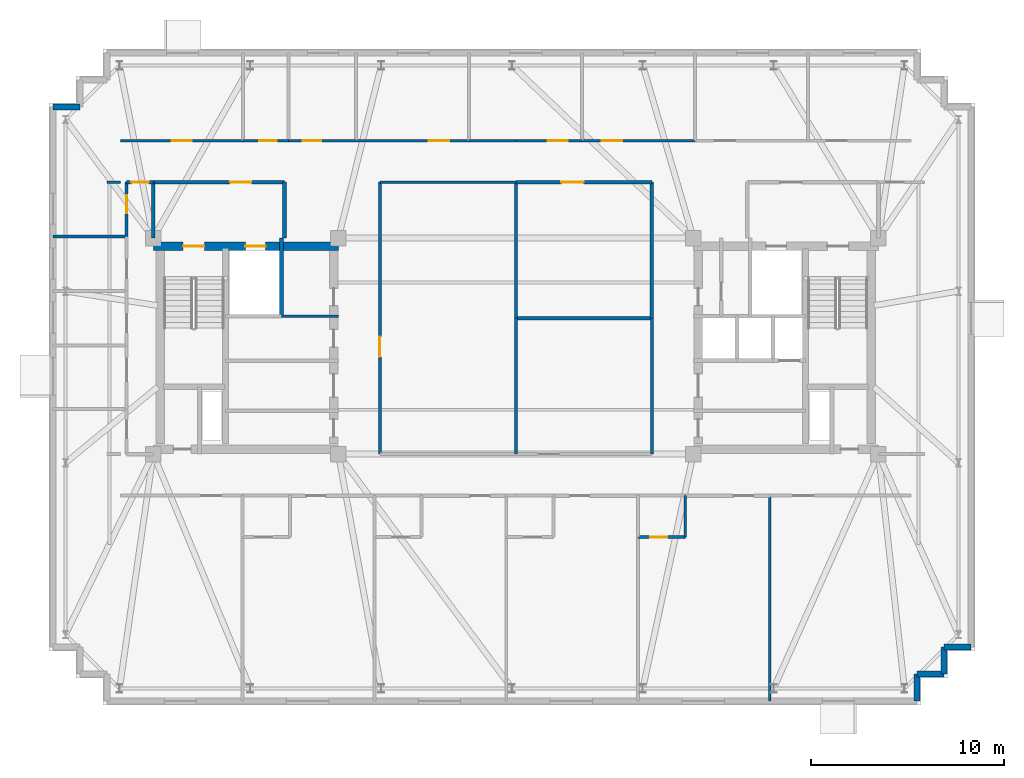
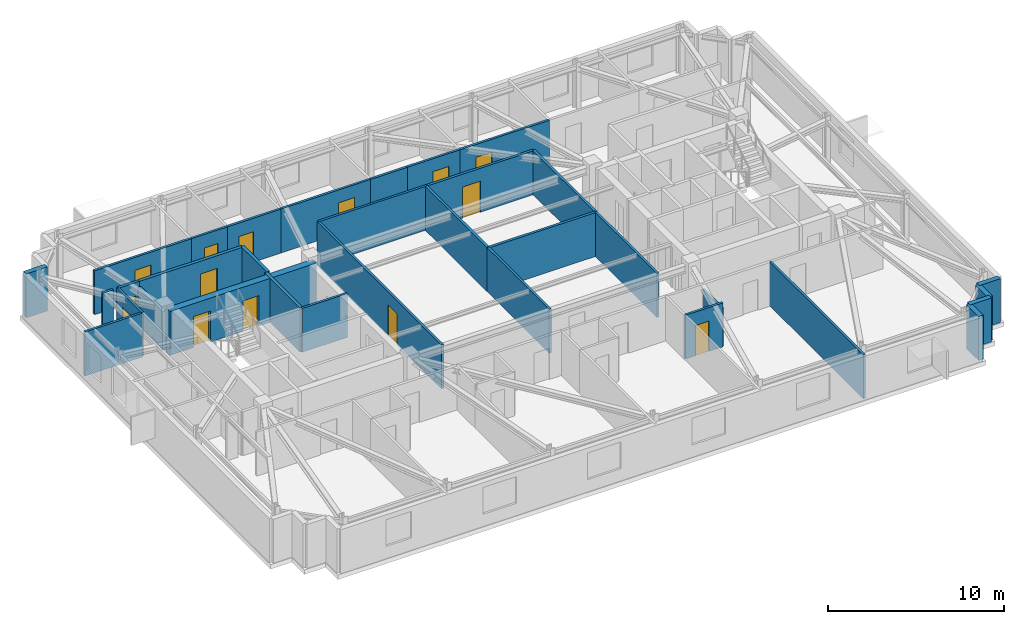
# One storey, part 7 of 11: 33 walls, 14 doors, 14 openings.
"""IFC4 building model written with IfcOpenShell, lengths in metres."""

from ifc_helpers import new_model, si_unit, direction, frame, frame_2d, origin, place, context, subcontext, project, spatial, rectangle, extrude, material, layer, layer_set, type_object, element, fill, save


model = new_model("IFC4")

# Units and contexts
model_context = context("Model", 3, precision=1e-05, world=origin(), true_north=direction((0.0, 1.0)))
body_context = subcontext(model_context, "Body", "Model", "MODEL_VIEW")
ifc_project = project(units=[si_unit("LENGTHUNIT", "METRE"), si_unit("AREAUNIT", "SQUARE_METRE"), si_unit("VOLUMEUNIT", "CUBIC_METRE"), si_unit("PLANEANGLEUNIT", "RADIAN"), si_unit("MASSUNIT", "GRAM", prefix="KILO")], contexts=[model_context])

# Site, building, storey
site_placement = place(None, origin())
site = spatial("IfcSite", under=ifc_project, at=site_placement, CompositionType="ELEMENT")
building_placement = place(site_placement, origin())
building = spatial("IfcBuilding", under=site, at=building_placement, Name="Qobustan Lattice House", CompositionType="ELEMENT")
storey_placement = place(building_placement, frame((0.0, 0.0, 245.050048828125)))
storey = spatial("IfcBuildingStorey", under=building, at=storey_placement, Name="L69", CompositionType="ELEMENT", Elevation=245.050048828125)

# Wall, openings, doors
ifc_material_1 = material(Name="Concrete C50/60", Category="concrete")
ifc_layer_1 = layer(ifc_material_1, 0.43994140625)
ifc_layer_set_1 = layer_set([ifc_layer_1], Name="Concrete C50/60")
wall_type_1 = type_object("IfcWallType", Name="WAL-CORE-440", PredefinedType="SHEAR", material=ifc_layer_set_1)
wall_1_placement = place(storey_placement, frame((-18.800048828125, 5.179931640625, 0.0), z_axis=(0.0, 0.0, 1.0), x_axis=(1.0, 0.0, 0.0)))
wall_1 = element("IfcWall", 1, at=wall_1_placement, inside=storey, type_object=wall_type_1, Name="L69 split-core shear wall CW-N", PredefinedType="SHEAR", context=body_context, shape_type="SweptSolid", body=[
    extrude(rectangle(XDim=9.60009765625, YDim=0.43994140625, at=frame_2d((4.800048828125, 0.0))), origin(), (0.0, 0.0, 1.0), 3.0400390625),
])
opening_1_placement = place(wall_1_placement, frame((1.550048828125, 0.0, 0.0)))
opening_1 = element("IfcOpeningElement", 2, at=opening_1_placement, cuts=wall_1, Name="Opening SD-01", PredefinedType="OPENING", context=body_context, shape_type="SweptSolid", body=[
    extrude(rectangle(XDim=1.10009765625, YDim=2.14990234375, at=frame_2d((0.550048828125, 1.074951171875))), frame((0.0, 0.22998046875, 0.0), z_axis=(0.0, -1.0, 0.0), x_axis=(1.0, 0.0, 0.0)), (0.0, 0.0, 1.0), 0.4599609375),
])
opening_2_placement = place(wall_1_placement, frame((4.77490234375, 0.0, 0.0)))
opening_2 = element("IfcOpeningElement", 3, at=opening_2_placement, cuts=wall_1, Name="Opening LD-01", PredefinedType="OPENING", context=body_context, shape_type="SweptSolid", body=[
    extrude(rectangle(XDim=1.050048828125, YDim=2.10009765625, at=frame_2d((0.52490234375, 1.050048828125))), frame((0.0, 0.22998046875, 0.0), z_axis=(0.0, -1.0, 0.0), x_axis=(1.0, 0.0, 0.0)), (0.0, 0.0, 1.0), 0.4599609375),
])
ifc_material_2 = material(Name="Persian walnut timber and steel frame door", Category="steel")
door_type_1 = type_object("IfcDoorType", Name="DOR-LIFT-LD-1050x2100", OperationType="NOTDEFINED", PredefinedType="DOOR", material=ifc_material_2)
door_1_placement = place(opening_2_placement, origin())
door_1 = element("IfcDoor", 4, at=door_1_placement, inside=storey, type_object=door_type_1, Name="L69 firefighting lift FF-W landing door", OperationType="DOUBLE_DOOR_SLIDING", OverallHeight=2.10009765625, OverallWidth=1.050048828125, PredefinedType="DOOR", context=body_context, shape_type="SweptSolid", body=[
    extrude(rectangle(XDim=1.050048828125, YDim=2.10009765625, at=frame_2d((0.52490234375, 1.050048828125))), frame((0.0, 0.02490234375, 0.0), z_axis=(0.0, -1.0, 0.0), x_axis=(1.0, 0.0, 0.0)), (0.0, 0.0, 1.0), 0.050048828125),
])
fill(opening_2, door_1)
ifc_material_3 = material(Name="Persian walnut timber and steel frame door", Category="steel")
door_type_2 = type_object("IfcDoorType", Name="DOR-STAIR-FD-1100x2150", OperationType="NOTDEFINED", PredefinedType="DOOR", material=ifc_material_3)
door_2_placement = place(opening_1_placement, origin())
door_2 = element("IfcDoor", 5, at=door_2_placement, inside=storey, type_object=door_type_2, Name="L69 exit stair ST-W1 fire door", OperationType="SINGLE_SWING_RIGHT", OverallHeight=2.14990234375, OverallWidth=1.10009765625, PredefinedType="DOOR", context=body_context, shape_type="SweptSolid", body=[
    extrude(rectangle(XDim=1.10009765625, YDim=2.14990234375, at=frame_2d((0.550048828125, 1.074951171875))), frame((0.0, 0.02490234375, 0.0), z_axis=(0.0, -1.0, 0.0), x_axis=(1.0, 0.0, 0.0)), (0.0, 0.0, 1.0), 0.050048828125),
])
fill(opening_1, door_2)

# Walls
ifc_material_4 = material(Name="Precast concrete C40/50", Category="concrete")
ifc_layer_2 = layer(ifc_material_4, 0.320068359375)
ifc_layer_set_2 = layer_set([ifc_layer_2], Name="Precast concrete C40/50")
wall_type_2 = type_object("IfcWallType", Name="WAL-EXT-STONE-320", PredefinedType="SOLIDWALL", material=ifc_layer_set_2)
wall_2_placement = place(storey_placement, frame((-24.0, 12.39990234375, 0.0), z_axis=(0.0, 0.0, 1.0), x_axis=(1.0, 0.0, 0.0)))
element("IfcWall", 6, at=wall_2_placement, inside=storey, type_object=wall_type_2, Name="L69 exterior limestone-clad wall 6", PredefinedType="SOLIDWALL", context=body_context, shape_type="SweptSolid", body=[
    extrude(rectangle(XDim=1.39990234375, YDim=0.320068359375, at=frame_2d((0.699951171875, 0.0))), origin(), (0.0, 0.0, 1.0), 3.0400390625),
])
wall_3_placement = place(storey_placement, frame((23.60009765625, -15.60009765625, 0.0), z_axis=(0.0, 0.0, 1.0), x_axis=(-1.0, 0.0, 0.0)))
element("IfcWall", 7, at=wall_3_placement, inside=storey, type_object=wall_type_2, Name="L69 exterior limestone-clad wall 16", PredefinedType="SOLIDWALL", context=body_context, shape_type="SweptSolid", body=[
    extrude(rectangle(XDim=1.400146484375, YDim=0.320068359375, at=frame_2d((0.7001953125, 0.0))), origin(), (0.0, 0.0, 1.0), 3.0400390625),
])
for number, where, z_axis, x_axis, name in (
    (8, (22.199951171875, -15.60009765625, 0.0), (0.0, 0.0, 1.0), (0.0, -1.0, 0.0), "L69 exterior limestone-clad wall 17"),
    (9, (22.199951171875, -17.0, 0.0), (0.0, 0.0, 1.0), (-1.0, 0.0, 0.0), "L69 exterior limestone-clad wall 18"),
    (10, (20.800048828125, -17.0, 0.0), (0.0, 0.0, 1.0), (0.0, -1.0, 0.0), "L69 exterior limestone-clad wall 19"),
):
    element("IfcWall", number, at=place(storey_placement, frame(where, z_axis=z_axis, x_axis=x_axis)), inside=storey, type_object=wall_type_2, Name=name, PredefinedType="SOLIDWALL", context=body_context, shape_type="SweptSolid", body=[
        extrude(rectangle(XDim=1.39990234375, YDim=0.320068359375, at=frame_2d((0.699951171875, 0.0))), origin(), (0.0, 0.0, 1.0), 3.0400390625),
    ])

# Wall, opening, door
ifc_material_5 = material(Name="Gypsum fireboard acoustic partition", Category="gypsum")
ifc_layer_3 = layer(ifc_material_5, 0.179931640625)
ifc_layer_set_3 = layer_set([ifc_layer_3], Name="Gypsum fireboard acoustic partition")
wall_type_3 = type_object("IfcWallType", Name="WAL-FIRE-180", PredefinedType="PARTITIONING", material=ifc_layer_set_3)
wall_4_placement = place(storey_placement, frame((-18.800048828125, 8.5, 0.0), z_axis=(0.0, 0.0, 1.0), x_axis=(-1.0, 0.0, 0.0)))
wall_4 = element("IfcWall", 11, at=wall_4_placement, inside=storey, type_object=wall_type_3, Name="L69 interior partition 28", PredefinedType="PARTITIONING", context=body_context, shape_type="SweptSolid", body=[
    extrude(rectangle(XDim=1.3798828125, YDim=0.179931640625, at=frame_2d((0.68994140625, 0.0))), origin(), (0.0, 0.0, 1.0), 3.0400390625),
])
opening_3_placement = place(wall_4_placement, frame((0.239990234375, 0.0, 0.0)))
opening_3 = element("IfcOpeningElement", 12, at=opening_3_placement, cuts=wall_4, Name="Opening RD-01", PredefinedType="OPENING", context=body_context, shape_type="SweptSolid", body=[
    extrude(rectangle(XDim=0.89990234375, YDim=2.10009765625, at=frame_2d((0.449951171875, 1.050048828125))), frame((0.0, 0.099853515625, 0.0), z_axis=(0.0, -1.0, 0.0), x_axis=(1.0, 0.0, 0.0)), (0.0, 0.0, 1.0), 0.199951171875),
])
ifc_material_6 = material(Name="Persian walnut timber and steel frame door", Category="steel")
door_type_3 = type_object("IfcDoorType", Name="DOR-RISER-FD-900x2100", OperationType="NOTDEFINED", PredefinedType="DOOR", material=ifc_material_6)
door_3_placement = place(opening_3_placement, origin())
door_3 = element("IfcDoor", 13, at=door_3_placement, inside=storey, type_object=door_type_3, Name="L69 North-west floor corridor to Residence entrance hall L69W door", OperationType="SINGLE_SWING_RIGHT", OverallHeight=2.10009765625, OverallWidth=0.89990234375, PredefinedType="DOOR", context=body_context, shape_type="SweptSolid", body=[
    extrude(rectangle(XDim=0.89990234375, YDim=2.10009765625, at=frame_2d((0.449951171875, 1.050048828125))), frame((0.0, 0.02490234375, 0.0), z_axis=(0.0, -1.0, 0.0), x_axis=(1.0, 0.0, 0.0)), (0.0, 0.0, 1.0), 0.050048828125),
])
fill(opening_3, door_3)

# Walls
ifc_material_7 = material(Name="Acoustic twin-stud gypsum partition", Category="gypsum")
ifc_layer_4 = layer(ifc_material_7, 0.14990234375)
ifc_layer_set_4 = layer_set([ifc_layer_4], Name="Acoustic twin-stud gypsum partition")
wall_type_4 = type_object("IfcWallType", Name="WAL-PART-150", PredefinedType="PARTITIONING", material=ifc_layer_set_4)
wall_5_placement = place(storey_placement, frame((-12.14990234375, 1.550048828125, 0.0), z_axis=(0.0, 0.0, 1.0), x_axis=(1.0, 0.0, 0.0)))
element("IfcWall", 14, at=wall_5_placement, inside=storey, type_object=wall_type_4, Name="L69 interior partition 6", PredefinedType="PARTITIONING", context=body_context, shape_type="SweptSolid", body=[
    extrude(rectangle(XDim=2.949951171875, YDim=0.14990234375, at=frame_2d((1.47509765625, 0.0))), origin(), (0.0, 0.0, 1.0), 3.0400390625),
])
wall_6_placement = place(storey_placement, frame((-20.5, 8.5, 0.0), z_axis=(0.0, 0.0, 1.0), x_axis=(-1.0, 0.0, 0.0)))
element("IfcWall", 15, at=wall_6_placement, inside=storey, type_object=wall_type_4, Name="L69 interior partition 29", PredefinedType="PARTITIONING", context=body_context, shape_type="SweptSolid", body=[
    extrude(rectangle(XDim=0.699951171875, YDim=0.14990234375, at=frame_2d((0.35009765625, 0.0))), origin(), (0.0, 0.0, 1.0), 3.0400390625),
])

# Wall, opening, door
wall_7_placement = place(storey_placement, frame((-20.5, 10.64990234375, 0.0), z_axis=(0.0, 0.0, 1.0), x_axis=(1.0, 0.0, 0.0)))
wall_7 = element("IfcWall", 16, at=wall_7_placement, inside=storey, type_object=wall_type_4, Name="L69 interior partition 30", PredefinedType="PARTITIONING", context=body_context, shape_type="SweptSolid", body=[
    extrude(rectangle(XDim=6.35693359375, YDim=0.14990234375, at=frame_2d((3.178466796875, 0.0))), origin(), (0.0, 0.0, 1.0), 3.0400390625),
])
opening_4_placement = place(wall_7_placement, frame((2.653564453125, 0.0, 0.0)))
opening_4 = element("IfcOpeningElement", 17, at=opening_4_placement, cuts=wall_7, Name="Opening ID-02", PredefinedType="OPENING", context=body_context, shape_type="SweptSolid", body=[
    extrude(rectangle(XDim=1.050048828125, YDim=2.14990234375, at=frame_2d((0.52490234375, 1.074951171875))), frame((0.0, 0.0849609375, 0.0), z_axis=(0.0, -1.0, 0.0), x_axis=(1.0, 0.0, 0.0)), (0.0, 0.0, 1.0), 0.169921875),
])
ifc_material_8 = material(Name="Persian walnut timber and steel frame door", Category="steel")
door_type_4 = type_object("IfcDoorType", Name="DOR-STUDY-1050x2150", OperationType="NOTDEFINED", PredefinedType="DOOR", material=ifc_material_8)
door_4_placement = place(opening_4_placement, origin())
door_4 = element("IfcDoor", 18, at=door_4_placement, inside=storey, type_object=door_type_4, Name="L69 North-west floor corridor to Focus study room N1 door", OperationType="SINGLE_SWING_LEFT", OverallHeight=2.14990234375, OverallWidth=1.050048828125, PredefinedType="DOOR", context=body_context, shape_type="SweptSolid", body=[
    extrude(rectangle(XDim=1.050048828125, YDim=2.14990234375, at=frame_2d((0.52490234375, 1.074951171875))), frame((0.0, 0.02490234375, 0.0), z_axis=(0.0, -1.0, 0.0), x_axis=(1.0, 0.0, 0.0)), (0.0, 0.0, 1.0), 0.050048828125),
])
fill(opening_4, door_4)

wall_8_placement = place(storey_placement, frame((-11.79296875, 10.64990234375, 0.0), z_axis=(0.0, 0.0, 1.0), x_axis=(1.0, 0.0, 0.0)))
wall_8 = element("IfcWall", 19, at=wall_8_placement, inside=storey, type_object=wall_type_4, Name="L69 interior partition 32", PredefinedType="PARTITIONING", context=body_context, shape_type="SweptSolid", body=[
    extrude(rectangle(XDim=3.507080078125, YDim=0.14990234375, at=frame_2d((1.75341796875, 0.0))), origin(), (0.0, 0.0, 1.0), 3.0400390625),
])
opening_5_placement = place(wall_8_placement, frame((0.754638671875, 0.0, 0.0)))
opening_5 = element("IfcOpeningElement", 20, at=opening_5_placement, cuts=wall_8, Name="Opening ID-01", PredefinedType="OPENING", context=body_context, shape_type="SweptSolid", body=[
    extrude(rectangle(XDim=0.949951171875, YDim=2.10009765625, at=frame_2d((0.47509765625, 1.050048828125))), frame((0.0, 0.0849609375, 0.0), z_axis=(0.0, -1.0, 0.0), x_axis=(1.0, 0.0, 0.0)), (0.0, 0.0, 1.0), 0.169921875),
])
ifc_material_9 = material(Name="Persian walnut timber and steel frame door", Category="steel")
door_type_5 = type_object("IfcDoorType", Name="DOR-ROOM-950x2100", OperationType="NOTDEFINED", PredefinedType="DOOR", material=ifc_material_9)
door_5_placement = place(opening_5_placement, origin())
door_5 = element("IfcDoor", 21, at=door_5_placement, inside=storey, type_object=door_type_5, Name="L69 North-west floor corridor to Laundry utility room door", OperationType="SINGLE_SWING_LEFT", OverallHeight=2.10009765625, OverallWidth=0.949951171875, PredefinedType="DOOR", context=body_context, shape_type="SweptSolid", body=[
    extrude(rectangle(XDim=0.949951171875, YDim=2.10009765625, at=frame_2d((0.47509765625, 1.050048828125))), frame((0.0, 0.02490234375, 0.0), z_axis=(0.0, -1.0, 0.0), x_axis=(1.0, 0.0, 0.0)), (0.0, 0.0, 1.0), 0.050048828125),
])
fill(opening_5, door_5)

wall_9_placement = place(storey_placement, frame((-8.285888671875, 10.64990234375, 0.0), z_axis=(0.0, 0.0, 1.0), x_axis=(1.0, 0.0, 0.0)))
wall_9 = element("IfcWall", 22, at=wall_9_placement, inside=storey, type_object=wall_type_4, Name="L69 interior partition 33", PredefinedType="PARTITIONING", context=body_context, shape_type="SweptSolid", body=[
    extrude(rectangle(XDim=5.85693359375, YDim=0.14990234375, at=frame_2d((2.928466796875, 0.0))), origin(), (0.0, 0.0, 1.0), 3.0400390625),
])
opening_6_placement = place(wall_9_placement, frame((3.77099609375, 0.0, 0.0)))
opening_6 = element("IfcOpeningElement", 23, at=opening_6_placement, cuts=wall_9, Name="Opening ID-02", PredefinedType="OPENING", context=body_context, shape_type="SweptSolid", body=[
    extrude(rectangle(XDim=1.050048828125, YDim=2.14990234375, at=frame_2d((0.52490234375, 1.074951171875))), frame((0.0, 0.0849609375, 0.0), z_axis=(0.0, -1.0, 0.0), x_axis=(1.0, 0.0, 0.0)), (0.0, 0.0, 1.0), 0.169921875),
])
door_6_placement = place(opening_6_placement, origin())
door_6 = element("IfcDoor", 24, at=door_6_placement, inside=storey, type_object=door_type_4, Name="L69 North-west floor corridor to Focus study room N3 door", OperationType="SINGLE_SWING_RIGHT", OverallHeight=2.14990234375, OverallWidth=1.050048828125, PredefinedType="DOOR", context=body_context, shape_type="SweptSolid", body=[
    extrude(rectangle(XDim=1.050048828125, YDim=2.14990234375, at=frame_2d((0.52490234375, 1.074951171875))), frame((0.0, 0.02490234375, 0.0), z_axis=(0.0, -1.0, 0.0), x_axis=(1.0, 0.0, 0.0)), (0.0, 0.0, 1.0), 0.050048828125),
])
fill(opening_6, door_6)

# Walls
wall_10_placement = place(storey_placement, frame((-2.428955078125, 10.64990234375, 0.0), z_axis=(0.0, 0.0, 1.0), x_axis=(1.0, 0.0, 0.0)))
element("IfcWall", 25, at=wall_10_placement, inside=storey, type_object=wall_type_4, Name="L69 interior partition 34", PredefinedType="PARTITIONING", context=body_context, shape_type="SweptSolid", body=[
    extrude(rectangle(XDim=2.428955078125, YDim=0.14990234375, at=frame_2d((1.21435546875, 0.0))), origin(), (0.0, 0.0, 1.0), 3.0400390625),
])
wall_11_placement = place(storey_placement, frame((0.0, 8.5, 0.0), z_axis=(0.0, 0.0, 1.0), x_axis=(-1.0, 0.0, 0.0)))
element("IfcWall", 26, at=wall_11_placement, inside=storey, type_object=wall_type_4, Name="L69 interior partition 35", PredefinedType="PARTITIONING", context=body_context, shape_type="SweptSolid", body=[
    extrude(rectangle(XDim=7.050048828125, YDim=0.14990234375, at=frame_2d((3.52490234375, 0.0))), origin(), (0.0, 0.0, 1.0), 3.0400390625),
])

# Wall, opening, door
wall_12_placement = place(storey_placement, frame((0.0, 10.64990234375, 0.0), z_axis=(0.0, 0.0, 1.0), x_axis=(1.0, 0.0, 0.0)))
wall_12 = element("IfcWall", 27, at=wall_12_placement, inside=storey, type_object=wall_type_4, Name="L69 interior partition 38", PredefinedType="PARTITIONING", context=body_context, shape_type="SweptSolid", body=[
    extrude(rectangle(XDim=3.428955078125, YDim=0.14990234375, at=frame_2d((1.71435546875, 0.0))), origin(), (0.0, 0.0, 1.0), 3.0400390625),
])
opening_7_placement = place(wall_12_placement, frame((1.646484375, 0.0, 0.0)))
opening_7 = element("IfcOpeningElement", 28, at=opening_7_placement, cuts=wall_12, Name="Opening ID-02", PredefinedType="OPENING", context=body_context, shape_type="SweptSolid", body=[
    extrude(rectangle(XDim=1.050048828125, YDim=2.14990234375, at=frame_2d((0.52490234375, 1.074951171875))), frame((0.0, 0.0849609375, 0.0), z_axis=(0.0, -1.0, 0.0), x_axis=(1.0, 0.0, 0.0)), (0.0, 0.0, 1.0), 0.169921875),
])
door_7_placement = place(opening_7_placement, origin())
door_7 = element("IfcDoor", 29, at=door_7_placement, inside=storey, type_object=door_type_4, Name="L69 North-east floor corridor to Focus study room N4 door", OperationType="SINGLE_SWING_RIGHT", OverallHeight=2.14990234375, OverallWidth=1.050048828125, PredefinedType="DOOR", context=body_context, shape_type="SweptSolid", body=[
    extrude(rectangle(XDim=1.050048828125, YDim=2.14990234375, at=frame_2d((0.52490234375, 1.074951171875))), frame((0.0, 0.02490234375, 0.0), z_axis=(0.0, -1.0, 0.0), x_axis=(1.0, 0.0, 0.0)), (0.0, 0.0, 1.0), 0.050048828125),
])
fill(opening_7, door_7)

wall_13_placement = place(storey_placement, frame((3.428955078125, 10.64990234375, 0.0), z_axis=(0.0, 0.0, 1.0), x_axis=(1.0, 0.0, 0.0)))
wall_13 = element("IfcWall", 30, at=wall_13_placement, inside=storey, type_object=wall_type_4, Name="L69 interior partition 39", PredefinedType="PARTITIONING", context=body_context, shape_type="SweptSolid", body=[
    extrude(rectangle(XDim=5.85693359375, YDim=0.14990234375, at=frame_2d((2.928466796875, 0.0))), origin(), (0.0, 0.0, 1.0), 3.0400390625),
])
opening_8_placement = place(wall_13_placement, frame((1.035888671875, 0.0, 0.0)))
opening_8 = element("IfcOpeningElement", 31, at=opening_8_placement, cuts=wall_13, Name="Opening ID-02", PredefinedType="OPENING", context=body_context, shape_type="SweptSolid", body=[
    extrude(rectangle(XDim=1.050048828125, YDim=2.14990234375, at=frame_2d((0.52490234375, 1.074951171875))), frame((0.0, 0.0849609375, 0.0), z_axis=(0.0, -1.0, 0.0), x_axis=(1.0, 0.0, 0.0)), (0.0, 0.0, 1.0), 0.169921875),
])
door_8_placement = place(opening_8_placement, origin())
door_8 = element("IfcDoor", 32, at=door_8_placement, inside=storey, type_object=door_type_4, Name="L69 North-east floor corridor to Focus study room N5 door", OperationType="SINGLE_SWING_LEFT", OverallHeight=2.14990234375, OverallWidth=1.050048828125, PredefinedType="DOOR", context=body_context, shape_type="SweptSolid", body=[
    extrude(rectangle(XDim=1.050048828125, YDim=2.14990234375, at=frame_2d((0.52490234375, 1.074951171875))), frame((0.0, 0.02490234375, 0.0), z_axis=(0.0, -1.0, 0.0), x_axis=(1.0, 0.0, 0.0)), (0.0, 0.0, 1.0), 0.050048828125),
])
fill(opening_8, door_8)

wall_14_placement = place(storey_placement, frame((-7.050048828125, 8.5, 0.0), z_axis=(0.0, 0.0, 1.0), x_axis=(0.0, -1.0, 0.0)))
wall_14 = element("IfcWall", 33, at=wall_14_placement, inside=storey, type_object=wall_type_4, Name="L69 interior partition 60", PredefinedType="PARTITIONING", context=body_context, shape_type="SweptSolid", body=[
    extrude(rectangle(XDim=14.10009765625, YDim=0.14990234375, at=frame_2d((7.050048828125, 0.0))), origin(), (0.0, 0.0, 1.0), 3.0400390625),
])
opening_9_placement = place(wall_14_placement, frame((8.01123046875, 0.0, 0.0)))
opening_9 = element("IfcOpeningElement", 34, at=opening_9_placement, cuts=wall_14, Name="Opening ID-02", PredefinedType="OPENING", context=body_context, shape_type="SweptSolid", body=[
    extrude(rectangle(XDim=1.050048828125, YDim=2.14990234375, at=frame_2d((0.52490234375, 1.074951171875))), frame((0.0, 0.0849609375, 0.0), z_axis=(0.0, -1.0, 0.0), x_axis=(1.0, 0.0, 0.0)), (0.0, 0.0, 1.0), 0.169921875),
])
door_9_placement = place(opening_9_placement, origin())
door_9 = element("IfcDoor", 35, at=door_9_placement, inside=storey, type_object=door_type_4, Name="L69 West floor link corridor to Central silent study room door", OperationType="SINGLE_SWING_RIGHT", OverallHeight=2.14990234375, OverallWidth=1.050048828125, PredefinedType="DOOR", context=body_context, shape_type="SweptSolid", body=[
    extrude(rectangle(XDim=1.050048828125, YDim=2.14990234375, at=frame_2d((0.52490234375, 1.074951171875))), frame((0.0, 0.02490234375, 0.0), z_axis=(0.0, -1.0, 0.0), x_axis=(1.0, 0.0, 0.0)), (0.0, 0.0, 1.0), 0.050048828125),
])
fill(opening_9, door_9)

# Wall
wall_15_placement = place(storey_placement, frame((7.050048828125, -5.60009765625, 0.0), z_axis=(0.0, 0.0, 1.0), x_axis=(0.0, 1.0, 0.0)))
element("IfcWall", 36, at=wall_15_placement, inside=storey, type_object=wall_type_4, Name="L69 interior partition 61", PredefinedType="PARTITIONING", context=body_context, shape_type="SweptSolid", body=[
    extrude(rectangle(XDim=7.050048828125, YDim=0.14990234375, at=frame_2d((3.52490234375, 0.0))), origin(), (0.0, 0.0, 1.0), 3.0400390625),
])

# Wall, opening, door
wall_16_placement = place(storey_placement, frame((-20.179931640625, 5.679931640625, 0.0), z_axis=(0.0, 0.0, 1.0), x_axis=(0.0, 1.0, 0.0)))
wall_16 = element("IfcWall", 37, at=wall_16_placement, inside=storey, type_object=wall_type_4, Name="L69 interior partition 67", PredefinedType="PARTITIONING", context=body_context, shape_type="SweptSolid", body=[
    extrude(rectangle(XDim=2.820068359375, YDim=0.14990234375, at=frame_2d((1.41015625, 0.0))), origin(), (0.0, 0.0, 1.0), 3.0400390625),
])
opening_10_placement = place(wall_16_placement, frame((1.201171875, 0.0, 0.0)))
opening_10 = element("IfcOpeningElement", 38, at=opening_10_placement, cuts=wall_16, Name="Opening ID-01", PredefinedType="OPENING", context=body_context, shape_type="SweptSolid", body=[
    extrude(rectangle(XDim=0.949951171875, YDim=2.10009765625, at=frame_2d((0.47509765625, 1.050048828125))), frame((0.0, 0.0849609375, 0.0), z_axis=(0.0, -1.0, 0.0), x_axis=(1.0, 0.0, 0.0)), (0.0, 0.0, 1.0), 0.169921875),
])
door_10_placement = place(opening_10_placement, origin())
door_10 = element("IfcDoor", 39, at=door_10_placement, inside=storey, type_object=door_type_5, Name="L69 Residence entrance hall L69W to Cluster bedroom L69W3 door", OperationType="SINGLE_SWING_LEFT", OverallHeight=2.10009765625, OverallWidth=0.949951171875, PredefinedType="DOOR", context=body_context, shape_type="SweptSolid", body=[
    extrude(rectangle(XDim=0.949951171875, YDim=2.10009765625, at=frame_2d((0.47509765625, 1.050048828125))), frame((0.0, 0.02490234375, 0.0), z_axis=(0.0, -1.0, 0.0), x_axis=(1.0, 0.0, 0.0)), (0.0, 0.0, 1.0), 0.050048828125),
])
fill(opening_10, door_10)

# Walls
wall_17_placement = place(storey_placement, frame((-24.0, 5.679931640625, 0.0), z_axis=(0.0, 0.0, 1.0), x_axis=(1.0, 0.0, 0.0)))
element("IfcWall", 40, at=wall_17_placement, inside=storey, type_object=wall_type_4, Name="L69 interior partition 71", PredefinedType="PARTITIONING", context=body_context, shape_type="SweptSolid", body=[
    extrude(rectangle(XDim=3.820068359375, YDim=0.14990234375, at=frame_2d((1.91015625, 0.0))), origin(), (0.0, 0.0, 1.0), 3.0400390625),
])
wall_18_placement = place(storey_placement, frame((13.1669921875, -7.75, 0.0), z_axis=(0.0, 0.0, 1.0), x_axis=(0.0, -1.0, 0.0)))
element("IfcWall", 41, at=wall_18_placement, inside=storey, type_object=wall_type_4, Name="L69 interior partition 95", PredefinedType="PARTITIONING", context=body_context, shape_type="SweptSolid", body=[
    extrude(rectangle(XDim=10.64990234375, YDim=0.14990234375, at=frame_2d((5.324951171875, 0.0))), origin(), (0.0, 0.0, 1.0), 3.0400390625),
])
wall_19_placement = place(storey_placement, frame((0.0, 1.449951171875, 0.0), z_axis=(0.0, 0.0, 1.0), x_axis=(0.0, -1.0, 0.0)))
element("IfcWall", 42, at=wall_19_placement, inside=storey, type_object=wall_type_4, Name="L69 interior partition 96", PredefinedType="PARTITIONING", context=body_context, shape_type="SweptSolid", body=[
    extrude(rectangle(XDim=7.050048828125, YDim=0.14990234375, at=frame_2d((3.52490234375, 0.0))), origin(), (0.0, 0.0, 1.0), 3.0400390625),
])

# Wall, opening, door
ifc_material_10 = material(Name="High-mass acoustic twin-stud partition", Category="gypsum")
ifc_layer_5 = layer(ifc_material_10, 0.1650390625)
ifc_layer_set_5 = layer_set([ifc_layer_5], Name="High-mass acoustic twin-stud partition")
wall_type_5 = type_object("IfcWallType", Name="WAL-PART-165", PredefinedType="PARTITIONING", material=ifc_layer_set_5)
wall_20_placement = place(storey_placement, frame((7.050048828125, 8.5, 0.0), z_axis=(0.0, 0.0, 1.0), x_axis=(-1.0, 0.0, 0.0)))
wall_20 = element("IfcWall", 43, at=wall_20_placement, inside=storey, type_object=wall_type_5, Name="L69 interior partition 42", PredefinedType="PARTITIONING", context=body_context, shape_type="SweptSolid", body=[
    extrude(rectangle(XDim=7.050048828125, YDim=0.1650390625, at=frame_2d((3.52490234375, 0.0))), origin(), (0.0, 0.0, 1.0), 3.0400390625),
])
opening_11_placement = place(wall_20_placement, frame((3.54248046875, 0.0, 0.0)))
opening_11 = element("IfcOpeningElement", 44, at=opening_11_placement, cuts=wall_20, Name="Opening ID-03", PredefinedType="OPENING", context=body_context, shape_type="SweptSolid", body=[
    extrude(rectangle(XDim=1.14990234375, YDim=2.14990234375, at=frame_2d((0.574951171875, 1.074951171875))), frame((0.0, 0.092529296875, 0.0), z_axis=(0.0, -1.0, 0.0), x_axis=(1.0, 0.0, 0.0)), (0.0, 0.0, 1.0), 0.18505859375),
])
ifc_material_11 = material(Name="Persian walnut timber and steel frame door", Category="steel")
door_type_6 = type_object("IfcDoorType", Name="DOR-KITCH-1150x2150", OperationType="NOTDEFINED", PredefinedType="DOOR", material=ifc_material_11)
door_11_placement = place(opening_11_placement, origin())
door_11 = element("IfcDoor", 45, at=door_11_placement, inside=storey, type_object=door_type_6, Name="L69 North-east floor corridor to Communal kitchen dining door", OperationType="SINGLE_SWING_RIGHT", OverallHeight=2.14990234375, OverallWidth=1.14990234375, PredefinedType="DOOR", context=body_context, shape_type="SweptSolid", body=[
    extrude(rectangle(XDim=1.14990234375, YDim=2.14990234375, at=frame_2d((0.574951171875, 1.074951171875))), frame((0.0, 0.02490234375, 0.0), z_axis=(0.0, -1.0, 0.0), x_axis=(1.0, 0.0, 0.0)), (0.0, 0.0, 1.0), 0.050048828125),
])
fill(opening_11, door_11)

# Walls
for number, where, z_axis, x_axis, name in (
    (46, (7.050048828125, 1.449951171875, 0.0), (0.0, 0.0, 1.0), (0.0, 1.0, 0.0), "L69 interior partition 62"),
    (47, (0.0, 8.5, 0.0), (0.0, 0.0, 1.0), (0.0, -1.0, 0.0), "L69 interior partition 97"),
    (48, (0.0, 1.449951171875, 0.0), (0.0, 0.0, 1.0), (1.0, 0.0, 0.0), "L69 interior partition 98"),
):
    element("IfcWall", number, at=place(storey_placement, frame(where, z_axis=z_axis, x_axis=x_axis)), inside=storey, type_object=wall_type_5, Name=name, PredefinedType="PARTITIONING", context=body_context, shape_type="SweptSolid", body=[
        extrude(rectangle(XDim=7.050048828125, YDim=0.1650390625, at=frame_2d((3.52490234375, 0.0))), origin(), (0.0, 0.0, 1.0), 3.0400390625),
    ])

# Wall, opening, door
ifc_material_12 = material(Name="Two-hour gypsum fireboard acoustic partition", Category="gypsum")
ifc_layer_6 = layer(ifc_material_12, 0.199951171875)
ifc_layer_set_6 = layer_set([ifc_layer_6], Name="Two-hour gypsum fireboard acoustic partition")
wall_type_6 = type_object("IfcWallType", Name="WAL-PROT-200", PredefinedType="PARTITIONING", material=ifc_layer_set_6)
wall_21_placement = place(storey_placement, frame((-12.0, 8.5, 0.0), z_axis=(0.0, 0.0, 1.0), x_axis=(-1.0, 0.0, 0.0)))
wall_21 = element("IfcWall", 49, at=wall_21_placement, inside=storey, type_object=wall_type_6, Name="L69 interior partition 3", PredefinedType="PARTITIONING", context=body_context, shape_type="SweptSolid", body=[
    extrude(rectangle(XDim=6.800048828125, YDim=0.199951171875, at=frame_2d((3.39990234375, 0.0))), origin(), (0.0, 0.0, 1.0), 3.0400390625),
])
opening_12_placement = place(wall_21_placement, frame((1.715087890625, 0.0, 0.0)))
opening_12 = element("IfcOpeningElement", 50, at=opening_12_placement, cuts=wall_21, Name="Opening SD-01", PredefinedType="OPENING", context=body_context, shape_type="SweptSolid", body=[
    extrude(rectangle(XDim=1.10009765625, YDim=2.14990234375, at=frame_2d((0.550048828125, 1.074951171875))), frame((0.0, 0.10986328125, 0.0), z_axis=(0.0, -1.0, 0.0), x_axis=(1.0, 0.0, 0.0)), (0.0, 0.0, 1.0), 0.219970703125),
])
door_12_placement = place(opening_12_placement, origin())
door_12 = element("IfcDoor", 51, at=door_12_placement, inside=storey, type_object=door_type_2, Name="L69 West firefighting lift lobby to North-west floor corridor door", OperationType="SINGLE_SWING_RIGHT", OverallHeight=2.14990234375, OverallWidth=1.10009765625, PredefinedType="DOOR", context=body_context, shape_type="SweptSolid", body=[
    extrude(rectangle(XDim=1.10009765625, YDim=2.14990234375, at=frame_2d((0.550048828125, 1.074951171875))), frame((0.0, 0.02490234375, 0.0), z_axis=(0.0, -1.0, 0.0), x_axis=(1.0, 0.0, 0.0)), (0.0, 0.0, 1.0), 0.050048828125),
])
fill(opening_12, door_12)

# Walls
wall_22_placement = place(storey_placement, frame((-12.0, 5.60009765625, 0.0), z_axis=(0.0, 0.0, 1.0), x_axis=(0.0, 1.0, 0.0)))
element("IfcWall", 52, at=wall_22_placement, inside=storey, type_object=wall_type_6, Name="L69 interior partition 4", PredefinedType="PARTITIONING", context=body_context, shape_type="SweptSolid", body=[
    extrude(rectangle(XDim=2.89990234375, YDim=0.199951171875, at=frame_2d((1.449951171875, 0.0))), origin(), (0.0, 0.0, 1.0), 3.0400390625),
])
wall_23_placement = place(storey_placement, frame((-18.800048828125, 8.5, 0.0), z_axis=(0.0, 0.0, 1.0), x_axis=(0.0, -1.0, 0.0)))
element("IfcWall", 53, at=wall_23_placement, inside=storey, type_object=wall_type_6, Name="L69 interior partition 5", PredefinedType="PARTITIONING", context=body_context, shape_type="SweptSolid", body=[
    extrude(rectangle(XDim=2.89990234375, YDim=0.199951171875, at=frame_2d((1.449951171875, 0.0))), origin(), (0.0, 0.0, 1.0), 2.6650390625),
])
ifc_material_13 = material(Name="Concrete C40/50", Category="concrete")
ifc_layer_7 = layer(ifc_material_13, 0.199951171875)
ifc_layer_set_7 = layer_set([ifc_layer_7], Name="Concrete C40/50")
wall_type_7 = type_object("IfcWallType", Name="WAL-SHAFT-200", PredefinedType="PARTITIONING", material=ifc_layer_set_7)
wall_24_placement = place(storey_placement, frame((-12.14990234375, 1.550048828125, 0.0), z_axis=(0.0, 0.0, 1.0), x_axis=(0.0, 1.0, 0.0)))
element("IfcWall", 54, at=wall_24_placement, inside=storey, type_object=wall_type_7, Name="L69 interior partition 2", PredefinedType="PARTITIONING", context=body_context, shape_type="SweptSolid", body=[
    extrude(rectangle(XDim=4.050048828125, YDim=0.199951171875, at=frame_2d((2.02490234375, 0.0))), origin(), (0.0, 0.0, 1.0), 3.0400390625),
])

# Wall, opening, door
ifc_material_14 = material(Name="Moisture-resistant acoustic plumbing wall", Category="gypsum")
ifc_layer_8 = layer(ifc_material_14, 0.14990234375)
ifc_layer_set_8 = layer_set([ifc_layer_8], Name="Moisture-resistant acoustic plumbing wall")
wall_type_8 = type_object("IfcWallType", Name="WAL-WET-150", PredefinedType="PLUMBINGWALL", material=ifc_layer_set_8)
wall_25_placement = place(storey_placement, frame((-14.14306640625, 10.64990234375, 0.0), z_axis=(0.0, 0.0, 1.0), x_axis=(1.0, 0.0, 0.0)))
wall_25 = element("IfcWall", 55, at=wall_25_placement, inside=storey, type_object=wall_type_8, Name="L69 interior partition 31", PredefinedType="PLUMBINGWALL", context=body_context, shape_type="SweptSolid", body=[
    extrude(rectangle(XDim=2.35009765625, YDim=0.14990234375, at=frame_2d((1.175048828125, 0.0))), origin(), (0.0, 0.0, 1.0), 3.0400390625),
])
opening_13_placement = place(wall_25_placement, frame((0.833740234375, 0.0, 0.0)))
opening_13 = element("IfcOpeningElement", 56, at=opening_13_placement, cuts=wall_25, Name="Opening WD-01", PredefinedType="OPENING", context=body_context, shape_type="SweptSolid", body=[
    extrude(rectangle(XDim=0.89990234375, YDim=2.10009765625, at=frame_2d((0.449951171875, 1.050048828125))), frame((0.0, 0.0849609375, 0.0), z_axis=(0.0, -1.0, 0.0), x_axis=(1.0, 0.0, 0.0)), (0.0, 0.0, 1.0), 0.169921875),
])
ifc_material_15 = material(Name="Persian walnut timber and steel frame door", Category="steel")
door_type_7 = type_object("IfcDoorType", Name="DOR-WET-900x2100", OperationType="NOTDEFINED", PredefinedType="DOOR", material=ifc_material_15)
door_13_placement = place(opening_13_placement, origin())
door_13 = element("IfcDoor", 57, at=door_13_placement, inside=storey, type_object=door_type_7, Name="L69 North-west floor corridor to Accessible WC door", OperationType="SINGLE_SWING_RIGHT", OverallHeight=2.10009765625, OverallWidth=0.89990234375, PredefinedType="DOOR", context=body_context, shape_type="SweptSolid", body=[
    extrude(rectangle(XDim=0.89990234375, YDim=2.10009765625, at=frame_2d((0.449951171875, 1.050048828125))), frame((0.0, 0.02490234375, 0.0), z_axis=(0.0, -1.0, 0.0), x_axis=(1.0, 0.0, 0.0)), (0.0, 0.0, 1.0), 0.050048828125),
])
fill(opening_13, door_13)

wall_26_placement = place(storey_placement, frame((6.3330078125, -9.89990234375, 0.0), z_axis=(0.0, 0.0, 1.0), x_axis=(1.0, 0.0, 0.0)))
wall_26 = element("IfcWall", 58, at=wall_26_placement, inside=storey, type_object=wall_type_8, Name="L69 interior partition 93", PredefinedType="PLUMBINGWALL", context=body_context, shape_type="SweptSolid", body=[
    extrude(rectangle(XDim=2.449951171875, YDim=0.14990234375, at=frame_2d((1.22509765625, 0.0))), origin(), (0.0, 0.0, 1.0), 3.0400390625),
])
opening_14_placement = place(wall_26_placement, frame((0.628662109375, 0.0, 0.0)))
opening_14 = element("IfcOpeningElement", 59, at=opening_14_placement, cuts=wall_26, Name="Opening WD-01", PredefinedType="OPENING", context=body_context, shape_type="SweptSolid", body=[
    extrude(rectangle(XDim=0.89990234375, YDim=2.10009765625, at=frame_2d((0.449951171875, 1.050048828125))), frame((0.0, 0.0849609375, 0.0), z_axis=(0.0, -1.0, 0.0), x_axis=(1.0, 0.0, 0.0)), (0.0, 0.0, 1.0), 0.169921875),
])
door_14_placement = place(opening_14_placement, origin())
door_14 = element("IfcDoor", 60, at=door_14_placement, inside=storey, type_object=door_type_7, Name="L69 Kitchenette and studio apartment L69-S5 to En-suite bathroom L69-S5 door", OperationType="SINGLE_SWING_LEFT", OverallHeight=2.10009765625, OverallWidth=0.89990234375, PredefinedType="DOOR", context=body_context, shape_type="SweptSolid", body=[
    extrude(rectangle(XDim=0.89990234375, YDim=2.10009765625, at=frame_2d((0.449951171875, 1.050048828125))), frame((0.0, 0.02490234375, 0.0), z_axis=(0.0, -1.0, 0.0), x_axis=(1.0, 0.0, 0.0)), (0.0, 0.0, 1.0), 0.050048828125),
])
fill(opening_14, door_14)

# Wall
wall_27_placement = place(storey_placement, frame((8.782958984375, -9.89990234375, 0.0), z_axis=(0.0, 0.0, 1.0), x_axis=(0.0, 1.0, 0.0)))
element("IfcWall", 61, at=wall_27_placement, inside=storey, type_object=wall_type_8, Name="L69 interior partition 94", PredefinedType="PLUMBINGWALL", context=body_context, shape_type="SweptSolid", body=[
    extrude(rectangle(XDim=2.14990234375, YDim=0.14990234375, at=frame_2d((1.074951171875, 0.0))), origin(), (0.0, 0.0, 1.0), 2.6650390625),
])

save(model, "model.ifc")
